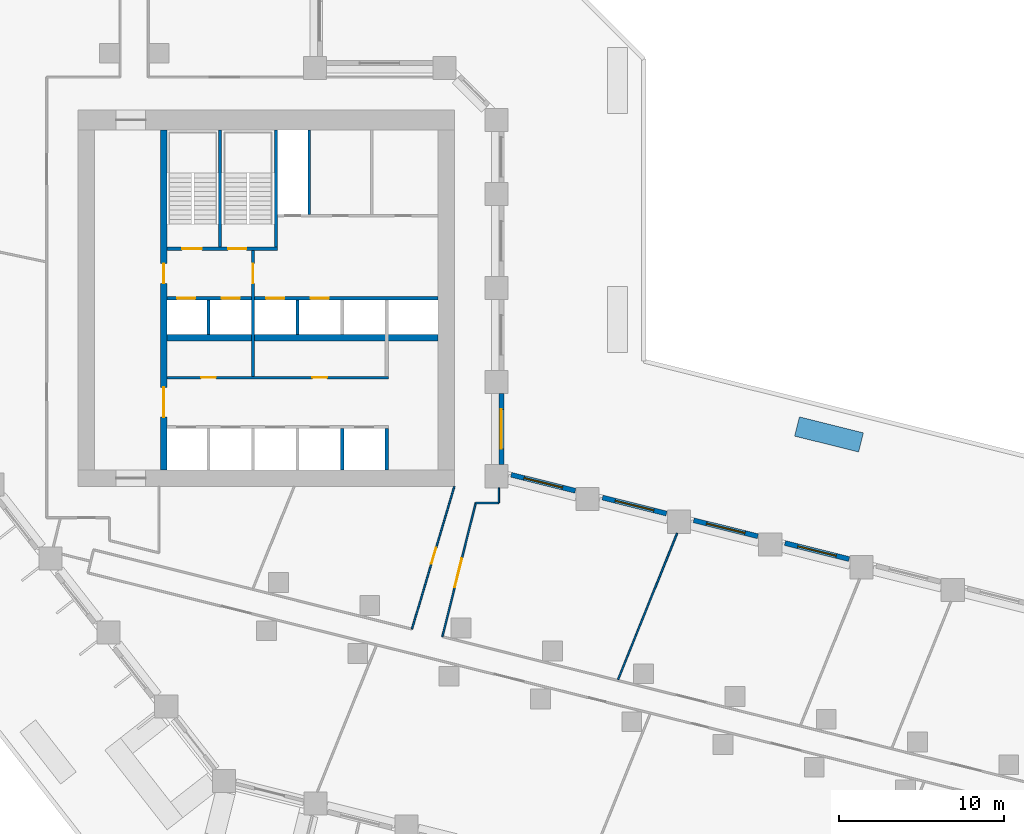
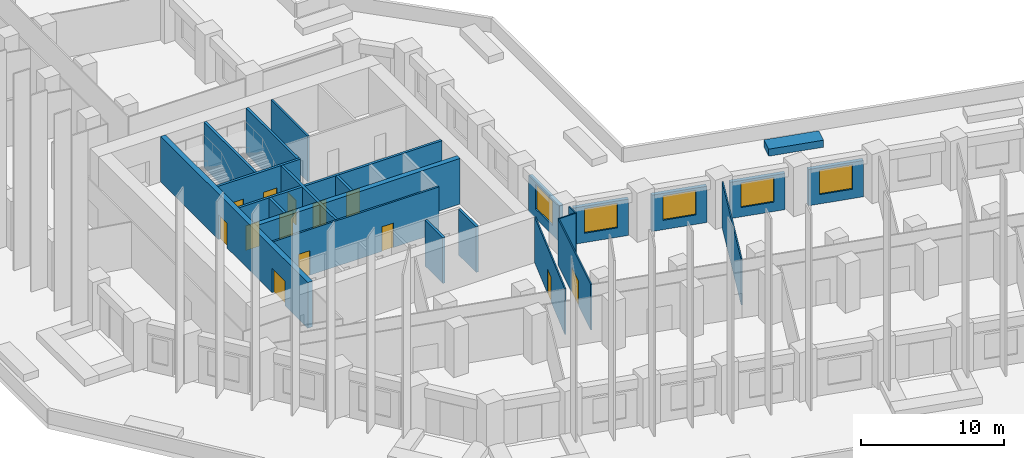
# One storey, part 5 of 13: 24 walls, 13 doors, 5 windows, 18 openings.
"""IFC4 building model written with IfcOpenShell, lengths in metres."""

from ifc_helpers import new_model, si_unit, direction, frame, frame_2d, origin, place, context, subcontext, project, spatial, rectangle, extrude, material, layer, layer_set, type_object, element, fill, save


model = new_model("IFC4")

# Units and contexts
model_context = context("Model", 3, precision=1e-05, world=origin(), true_north=direction((0.0, 1.0)))
body_context = subcontext(model_context, "Body", "Model", "MODEL_VIEW")
ifc_project = project(units=[si_unit("LENGTHUNIT", "METRE"), si_unit("AREAUNIT", "SQUARE_METRE"), si_unit("VOLUMEUNIT", "CUBIC_METRE"), si_unit("PLANEANGLEUNIT", "RADIAN"), si_unit("MASSUNIT", "GRAM", prefix="KILO")], contexts=[model_context])

# Site, building, storey
site_placement = place(None, origin())
site = spatial("IfcSite", under=ifc_project, at=site_placement, CompositionType="ELEMENT")
building_placement = place(site_placement, origin())
building = spatial("IfcBuilding", under=site, at=building_placement, Name="Meshkara Civic Tower", CompositionType="ELEMENT")
storey_placement = place(building_placement, frame((0.0, 0.0, 33.0)))
storey = spatial("IfcBuildingStorey", under=building, at=storey_placement, Name="L06", CompositionType="ELEMENT", Elevation=33.0)

# Wall, openings, doors
ifc_material_1 = material(Name="Blockwork", Category="masonry")
ifc_layer_1 = layer(ifc_material_1, 0.14990234375)
ifc_layer_set_1 = layer_set([ifc_layer_1], Name="Core partition 150")
wall_type_1 = type_object("IfcWallType", Name="Core partition 150", PredefinedType="PARTITIONING", material=ifc_layer_set_1)
wall_1_placement = place(storey_placement, frame((13.39990234375, 20.699951171875, 0.0), z_axis=(0.0, 0.0, 1.0), x_axis=(1.0, 0.0, 0.0)))
wall_1 = element("IfcWall", 1, at=wall_1_placement, inside=storey, type_object=wall_type_1, Name="L06-C006", PredefinedType="PARTITIONING", context=body_context, shape_type="SweptSolid", body=[
    extrude(rectangle(XDim=13.400146484375, YDim=0.14990234375, at=frame_2d((6.7001953125, 0.0))), origin(), (0.0, 0.0, 1.0), 3.89990234375),
])
opening_1_placement = place(wall_1_placement, frame((2.050048828125, 0.0, 0.0)))
opening_1 = element("IfcOpeningElement", 2, at=opening_1_placement, cuts=wall_1, Name="Opening L06-K010", PredefinedType="OPENING", context=body_context, shape_type="SweptSolid", body=[
    extrude(rectangle(XDim=0.89990234375, YDim=2.10009765625, at=frame_2d((0.449951171875, 1.050048828125))), frame((0.0, 0.0849609375, 0.0), z_axis=(0.0, -1.0, 0.0), x_axis=(1.0, 0.0, 0.0)), (0.0, 0.0, 1.0), 0.169921875),
])
opening_2_placement = place(wall_1_placement, frame((8.800048828125, 0.0, 0.0)))
opening_2 = element("IfcOpeningElement", 3, at=opening_2_placement, cuts=wall_1, Name="Opening L06-K011", PredefinedType="OPENING", context=body_context, shape_type="SweptSolid", body=[
    extrude(rectangle(XDim=0.89990234375, YDim=2.10009765625, at=frame_2d((0.449951171875, 1.050048828125))), frame((0.0, 0.0849609375, 0.0), z_axis=(0.0, -1.0, 0.0), x_axis=(1.0, 0.0, 0.0)), (0.0, 0.0, 1.0), 0.169921875),
])
ifc_material_2 = material(Name="Timber door leaf in steel frame", Category="steel")
door_type_1 = type_object("IfcDoorType", Name="Core room door 900", OperationType="SINGLE_SWING_LEFT", PredefinedType="DOOR", material=ifc_material_2)
door_1_placement = place(opening_1_placement, origin())
door_1 = element("IfcDoor", 4, at=door_1_placement, inside=storey, type_object=door_type_1, Name="L06-K010", OperationType="SINGLE_SWING_RIGHT", OverallHeight=2.10009765625, OverallWidth=0.89990234375, PredefinedType="DOOR", context=body_context, shape_type="SweptSolid", body=[
    extrude(rectangle(XDim=0.89990234375, YDim=2.10009765625, at=frame_2d((0.449951171875, 1.050048828125))), frame((0.0, 0.02490234375, 0.0), z_axis=(0.0, -1.0, 0.0), x_axis=(1.0, 0.0, 0.0)), (0.0, 0.0, 1.0), 0.050048828125),
])
fill(opening_1, door_1)
door_2_placement = place(opening_2_placement, origin())
door_2 = element("IfcDoor", 5, at=door_2_placement, inside=storey, type_object=door_type_1, Name="L06-K011", OperationType="SINGLE_SWING_RIGHT", OverallHeight=2.10009765625, OverallWidth=0.89990234375, PredefinedType="DOOR", context=body_context, shape_type="SweptSolid", body=[
    extrude(rectangle(XDim=0.89990234375, YDim=2.10009765625, at=frame_2d((0.449951171875, 1.050048828125))), frame((0.0, 0.02490234375, 0.0), z_axis=(0.0, -1.0, 0.0), x_axis=(1.0, 0.0, 0.0)), (0.0, 0.0, 1.0), 0.050048828125),
])
fill(opening_2, door_2)

# Walls
wall_2_placement = place(storey_placement, frame((22.0, 30.574951171875, 0.0), z_axis=(0.0, 0.0, 1.0), x_axis=(0.0, 1.0, 0.0)))
element("IfcWall", 6, at=wall_2_placement, inside=storey, type_object=wall_type_1, Name="L06-C020", PredefinedType="PARTITIONING", context=body_context, shape_type="SweptSolid", body=[
    extrude(rectangle(XDim=5.125, YDim=0.14990234375, at=frame_2d((2.5625, 0.0))), origin(), (0.0, 0.0, 1.0), 3.89990234375),
])
ifc_material_3 = material(Name="Concrete C80", Category="concrete")
ifc_layer_2 = layer(ifc_material_3, 0.39990234375)
ifc_layer_set_2 = layer_set([ifc_layer_2], Name="Core shear wall 400 C80")
wall_type_2 = type_object("IfcWallType", Name="Core shear wall 400 C80", PredefinedType="SHEAR", material=ifc_layer_set_2)
wall_3_placement = place(storey_placement, frame((13.39990234375, 23.10009765625, 0.0), z_axis=(0.0, 0.0, 1.0), x_axis=(1.0, 0.0, 0.0)))
element("IfcWall", 7, at=wall_3_placement, inside=storey, type_object=wall_type_2, Name="L06-C007", PredefinedType="SHEAR", context=body_context, shape_type="SweptSolid", body=[
    extrude(rectangle(XDim=16.400146484375, YDim=0.39990234375, at=frame_2d((8.2001953125, 0.0))), origin(), (0.0, 0.0, 1.0), 3.89990234375),
])

# Wall, openings, doors
wall_4_placement = place(storey_placement, frame((13.199951171875, 15.10009765625, 0.0), z_axis=(0.0, 0.0, 1.0), x_axis=(0.0, 1.0, 0.0)))
wall_4 = element("IfcWall", 8, at=wall_4_placement, inside=storey, type_object=wall_type_2, Name="L06-C011", PredefinedType="SHEAR", context=body_context, shape_type="SweptSolid", body=[
    extrude(rectangle(XDim=20.599853515625, YDim=0.39990234375, at=frame_2d((10.2998046875, 0.0))), origin(), (0.0, 0.0, 1.0), 3.89990234375),
])
opening_3_placement = place(wall_4_placement, frame((3.199951171875, 0.0, 0.0)))
opening_3 = element("IfcOpeningElement", 9, at=opening_3_placement, cuts=wall_4, Name="Opening L06-K017", PredefinedType="OPENING", context=body_context, shape_type="SweptSolid", body=[
    extrude(rectangle(XDim=1.800048828125, YDim=2.10009765625, at=frame_2d((0.89990234375, 1.050048828125))), frame((0.0, 0.2099609375, 0.0), z_axis=(0.0, -1.0, 0.0), x_axis=(1.0, 0.0, 0.0)), (0.0, 0.0, 1.0), 0.419921875),
])
opening_4_placement = place(wall_4_placement, frame((11.300048828125, 0.0, 0.0)))
opening_4 = element("IfcOpeningElement", 10, at=opening_4_placement, cuts=wall_4, Name="Opening L06-K018", PredefinedType="OPENING", context=body_context, shape_type="SweptSolid", body=[
    extrude(rectangle(XDim=1.199951171875, YDim=2.10009765625, at=frame_2d((0.60009765625, 1.050048828125))), frame((0.0, 0.2099609375, 0.0), z_axis=(0.0, -1.0, 0.0), x_axis=(1.0, 0.0, 0.0)), (0.0, 0.0, 1.0), 0.419921875),
])
ifc_material_4 = material(Name="Fire-rated door leaf in steel frame", Category="steel")
door_type_2 = type_object("IfcDoorType", Name="Core double door 1800 EI 60", OperationType="DOUBLE_DOOR_SINGLE_SWING", PredefinedType="DOOR", material=ifc_material_4)
door_3_placement = place(opening_3_placement, origin())
door_3 = element("IfcDoor", 11, at=door_3_placement, inside=storey, type_object=door_type_2, Name="L06-K017", OperationType="DOUBLE_DOOR_SINGLE_SWING", OverallHeight=2.10009765625, OverallWidth=1.800048828125, PredefinedType="DOOR", context=body_context, shape_type="SweptSolid", body=[
    extrude(rectangle(XDim=1.800048828125, YDim=2.10009765625, at=frame_2d((0.89990234375, 1.050048828125))), frame((0.0, 0.02490234375, 0.0), z_axis=(0.0, -1.0, 0.0), x_axis=(1.0, 0.0, 0.0)), (0.0, 0.0, 1.0), 0.050048828125),
])
fill(opening_3, door_3)
ifc_material_5 = material(Name="Fire-rated door leaf in steel frame", Category="steel")
door_type_3 = type_object("IfcDoorType", Name="Fire-fighting lobby door 1200 EI 120", OperationType="SINGLE_SWING_LEFT", PredefinedType="DOOR", material=ifc_material_5)
door_4_placement = place(opening_4_placement, origin())
door_4 = element("IfcDoor", 12, at=door_4_placement, inside=storey, type_object=door_type_3, Name="L06-K018", OperationType="SINGLE_SWING_LEFT", OverallHeight=2.10009765625, OverallWidth=1.199951171875, PredefinedType="DOOR", context=body_context, shape_type="SweptSolid", body=[
    extrude(rectangle(XDim=1.199951171875, YDim=2.10009765625, at=frame_2d((0.60009765625, 1.050048828125))), frame((0.0, 0.02490234375, 0.0), z_axis=(0.0, -1.0, 0.0), x_axis=(1.0, 0.0, 0.0)), (0.0, 0.0, 1.0), 0.050048828125),
])
fill(opening_4, door_4)

# Wall, opening, door
ifc_material_6 = material(Name="Corridor wall 100")
ifc_layer_3 = layer(ifc_material_6, 0.10009765625)
ifc_layer_set_3 = layer_set([ifc_layer_3], Name="Corridor wall 100")
wall_type_3 = type_object("IfcWallType", Name="Corridor wall 100", PredefinedType="PARTITIONING", material=ifc_layer_set_3)
wall_5_placement = place(storey_placement, frame((30.075927734375, 4.9951171875, 0.0), z_axis=(0.0, 0.0, 1.0), x_axis=(0.241944155572, 0.97029017597, 0.0)))
wall_5 = element("IfcWall", 13, at=wall_5_placement, inside=storey, type_object=wall_type_3, Name="L06-W021", PredefinedType="PARTITIONING", context=body_context, shape_type="SweptSolid", body=[
    extrude(rectangle(XDim=8.353271484375, YDim=0.10009765625, at=frame_2d((4.1767578125, 0.0))), origin(), (0.0, 0.0, 1.0), 3.89990234375),
])
opening_5_placement = place(wall_5_placement, frame((3.080078125, 0.0, 0.0)))
opening_5 = element("IfcOpeningElement", 14, at=opening_5_placement, cuts=wall_5, Name="Opening L06-D015", PredefinedType="OPENING", context=body_context, shape_type="SweptSolid", body=[
    extrude(rectangle(XDim=1.800048828125, YDim=2.10009765625, at=frame_2d((0.89990234375, 1.050048828125))), frame((0.0, 0.06005859375, 0.0), z_axis=(0.0, -1.0, 0.0), x_axis=(1.0, 0.0, 0.0)), (0.0, 0.0, 1.0), 0.1201171875),
])
ifc_material_7 = material(Name="Door pair 1800 x 2100")
door_type_4 = type_object("IfcDoorType", Name="Door pair 1800 x 2100", OperationType="SINGLE_SWING_LEFT", PredefinedType="DOOR", material=ifc_material_7)
door_5_placement = place(opening_5_placement, origin())
door_5 = element("IfcDoor", 15, at=door_5_placement, inside=storey, type_object=door_type_4, Name="L06-D015", OperationType="DOUBLE_DOOR_SINGLE_SWING", OverallHeight=2.10009765625, OverallWidth=1.800048828125, PredefinedType="DOOR", context=body_context, shape_type="SweptSolid", body=[
    extrude(rectangle(XDim=1.800048828125, YDim=2.10009765625, at=frame_2d((0.89990234375, 1.050048828125))), frame((0.0, 0.02490234375, 0.0), z_axis=(0.0, -1.0, 0.0), x_axis=(1.0, 0.0, 0.0)), (0.0, 0.0, 1.0), 0.050048828125),
])
fill(opening_5, door_5)

wall_6_placement = place(storey_placement, frame((30.800048828125, 14.10009765625, 0.0), z_axis=(0.0, 0.0, 1.0), x_axis=(-0.284664373847, -0.95862724469, 0.0)))
wall_6 = element("IfcWall", 16, at=wall_6_placement, inside=storey, type_object=wall_type_3, Name="L06-W022", PredefinedType="PARTITIONING", context=body_context, shape_type="SweptSolid", body=[
    extrude(rectangle(XDim=9.01806640625, YDim=0.10009765625, at=frame_2d((4.509033203125, 0.0))), origin(), (0.0, 0.0, 1.0), 3.89990234375),
])
opening_6_placement = place(wall_6_placement, frame((3.8798828125, 0.0, 0.0)))
opening_6 = element("IfcOpeningElement", 17, at=opening_6_placement, cuts=wall_6, Name="Opening L06-D014", PredefinedType="OPENING", context=body_context, shape_type="SweptSolid", body=[
    extrude(rectangle(XDim=1.0, YDim=2.10009765625, at=frame_2d((0.5, 1.050048828125))), frame((0.0, 0.06005859375, 0.0), z_axis=(0.0, -1.0, 0.0), x_axis=(1.0, 0.0, 0.0)), (0.0, 0.0, 1.0), 0.1201171875),
])
ifc_material_8 = material(Name="Door 1000 x 2100")
door_type_5 = type_object("IfcDoorType", Name="Door 1000 x 2100", OperationType="SINGLE_SWING_LEFT", PredefinedType="DOOR", material=ifc_material_8)
door_6_placement = place(opening_6_placement, origin())
door_6 = element("IfcDoor", 18, at=door_6_placement, inside=storey, type_object=door_type_5, Name="L06-D014", OperationType="SINGLE_SWING_RIGHT", OverallHeight=2.10009765625, OverallWidth=1.0, PredefinedType="DOOR", context=body_context, shape_type="SweptSolid", body=[
    extrude(rectangle(XDim=1.0, YDim=2.10009765625, at=frame_2d((0.5, 1.050048828125))), frame((0.0, 0.02490234375, 0.0), z_axis=(0.0, -1.0, 0.0), x_axis=(1.0, 0.0, 0.0)), (0.0, 0.0, 1.0), 0.050048828125),
])
fill(opening_6, door_6)

# Walls
wall_7_placement = place(storey_placement, frame((32.096923828125, 13.10009765625, 0.0), z_axis=(0.0, 0.0, 1.0), x_axis=(1.0, 0.0, 0.0)))
element("IfcWall", 19, at=wall_7_placement, inside=storey, type_object=wall_type_3, Name="L06-W023", PredefinedType="PARTITIONING", context=body_context, shape_type="SweptSolid", body=[
    extrude(rectangle(XDim=1.403076171875, YDim=0.10009765625, at=frame_2d((0.70166015625, 0.0))), origin(), (0.0, 0.0, 1.0), 3.89990234375),
])
wall_8_placement = place(storey_placement, frame((33.5, 13.10009765625, 0.0), z_axis=(0.0, 0.0, 1.0), x_axis=(0.0, 1.0, 0.0)))
element("IfcWall", 20, at=wall_8_placement, inside=storey, type_object=wall_type_3, Name="L06-W024", PredefinedType="PARTITIONING", context=body_context, shape_type="SweptSolid", body=[
    extrude(rectangle(XDim=0.9189453125, YDim=0.10009765625, at=frame_2d((0.45947265625, 0.0))), origin(), (0.0, 0.0, 1.0), 3.89990234375),
])

# Wall, opening, window
ifc_material_9 = material(Name="Insulated infill panel with bronze anodised aluminium cladding", Category="aluminium")
ifc_layer_4 = layer(ifc_material_9, 0.300048828125)
ifc_layer_set_4 = layer_set([ifc_layer_4], Name="EXTERNAL INFILL WALL 300")
wall_type_4 = type_object("IfcWallType", Name="EXTERNAL INFILL WALL 300", PredefinedType="SOLIDWALL", material=ifc_layer_set_4)
wall_9_placement = place(storey_placement, frame((54.721923828125, 9.699951171875, 0.0), z_axis=(0.0, 0.0, 1.0), x_axis=(-0.970318045095, 0.24183236211, 0.0)))
wall_9 = element("IfcWall", 21, at=wall_9_placement, inside=storey, type_object=wall_type_4, Name="External wall", PredefinedType="SOLIDWALL", context=body_context, shape_type="SweptSolid", body=[
    extrude(rectangle(XDim=4.0029296875, YDim=0.300048828125, at=frame_2d((2.00146484375, 0.0))), origin(), (0.0, 0.0, 1.0), 3.10009765625),
])
opening_7_placement = place(wall_9_placement, frame((0.802001953125, 0.0, 0.800048828125)))
opening_7 = element("IfcOpeningElement", 22, at=opening_7_placement, cuts=wall_9, Name="Opening W7", PredefinedType="OPENING", context=body_context, shape_type="SweptSolid", body=[
    extrude(rectangle(XDim=2.39990234375, YDim=2.10009765625, at=frame_2d((1.199951171875, 1.050048828125))), frame((0.0, 0.159912109375, 0.0), z_axis=(0.0, -1.0, 0.0), x_axis=(1.0, 0.0, 0.0)), (0.0, 0.0, 1.0), 0.320068359375),
])
ifc_material_10 = material(Name="Tinted double glazing", Category="glass")
window_type = type_object("IfcWindowType", Name="WINDOW 2400x2100", PartitioningType="DOUBLE_PANEL_VERTICAL", PredefinedType="WINDOW", material=ifc_material_10)
window_1_placement = place(opening_7_placement, origin())
window_1 = element("IfcWindow", 23, at=window_1_placement, inside=storey, type_object=window_type, Name="Window", OverallHeight=2.10009765625, OverallWidth=2.39990234375, PartitioningType="DOUBLE_PANEL_VERTICAL", PredefinedType="WINDOW", context=body_context, shape_type="SweptSolid", body=[
    extrude(rectangle(XDim=2.39990234375, YDim=2.10009765625, at=frame_2d((1.199951171875, 1.050048828125))), frame((0.0, 0.030029296875, 0.0), z_axis=(0.0, -1.0, 0.0), x_axis=(1.0, 0.0, 0.0)), (0.0, 0.0, 1.0), 0.06005859375),
])
fill(opening_7, window_1)

wall_10_placement = place(storey_placement, frame((49.19091796875, 11.0791015625, 0.0), z_axis=(0.0, 0.0, 1.0), x_axis=(-0.970318045095, 0.24183236211, 0.0)))
wall_10 = element("IfcWall", 24, at=wall_10_placement, inside=storey, type_object=wall_type_4, Name="External wall", PredefinedType="SOLIDWALL", context=body_context, shape_type="SweptSolid", body=[
    extrude(rectangle(XDim=4.0029296875, YDim=0.300048828125, at=frame_2d((2.00146484375, 0.0))), origin(), (0.0, 0.0, 1.0), 3.10009765625),
])
opening_8_placement = place(wall_10_placement, frame((0.802001953125, 0.0, 0.800048828125)))
opening_8 = element("IfcOpeningElement", 25, at=opening_8_placement, cuts=wall_10, Name="Opening W7", PredefinedType="OPENING", context=body_context, shape_type="SweptSolid", body=[
    extrude(rectangle(XDim=2.39990234375, YDim=2.10009765625, at=frame_2d((1.199951171875, 1.050048828125))), frame((0.0, 0.159912109375, 0.0), z_axis=(0.0, -1.0, 0.0), x_axis=(1.0, 0.0, 0.0)), (0.0, 0.0, 1.0), 0.320068359375),
])
window_2_placement = place(opening_8_placement, origin())
window_2 = element("IfcWindow", 26, at=window_2_placement, inside=storey, type_object=window_type, Name="Window", OverallHeight=2.10009765625, OverallWidth=2.39990234375, PartitioningType="DOUBLE_PANEL_VERTICAL", PredefinedType="WINDOW", context=body_context, shape_type="SweptSolid", body=[
    extrude(rectangle(XDim=2.39990234375, YDim=2.10009765625, at=frame_2d((1.199951171875, 1.050048828125))), frame((0.0, 0.030029296875, 0.0), z_axis=(0.0, -1.0, 0.0), x_axis=(1.0, 0.0, 0.0)), (0.0, 0.0, 1.0), 0.06005859375),
])
fill(opening_8, window_2)

wall_11_placement = place(storey_placement, frame((43.659912109375, 12.4580078125, 0.0), z_axis=(0.0, 0.0, 1.0), x_axis=(-0.970300202301, 0.241903942538, 0.0)))
wall_11 = element("IfcWall", 27, at=wall_11_placement, inside=storey, type_object=wall_type_4, Name="External wall", PredefinedType="SOLIDWALL", context=body_context, shape_type="SweptSolid", body=[
    extrude(rectangle(XDim=4.001708984375, YDim=0.300048828125, at=frame_2d((2.0009765625, 0.0))), origin(), (0.0, 0.0, 1.0), 3.10009765625),
])
opening_9_placement = place(wall_11_placement, frame((0.801025390625, 0.0, 0.800048828125)))
opening_9 = element("IfcOpeningElement", 28, at=opening_9_placement, cuts=wall_11, Name="Opening W7", PredefinedType="OPENING", context=body_context, shape_type="SweptSolid", body=[
    extrude(rectangle(XDim=2.39990234375, YDim=2.10009765625, at=frame_2d((1.199951171875, 1.050048828125))), frame((0.0, 0.159912109375, 0.0), z_axis=(0.0, -1.0, 0.0), x_axis=(1.0, 0.0, 0.0)), (0.0, 0.0, 1.0), 0.320068359375),
])
window_3_placement = place(opening_9_placement, origin())
window_3 = element("IfcWindow", 29, at=window_3_placement, inside=storey, type_object=window_type, Name="Window", OverallHeight=2.10009765625, OverallWidth=2.39990234375, PartitioningType="DOUBLE_PANEL_VERTICAL", PredefinedType="WINDOW", context=body_context, shape_type="SweptSolid", body=[
    extrude(rectangle(XDim=2.39990234375, YDim=2.10009765625, at=frame_2d((1.199951171875, 1.050048828125))), frame((0.0, 0.030029296875, 0.0), z_axis=(0.0, -1.0, 0.0), x_axis=(1.0, 0.0, 0.0)), (0.0, 0.0, 1.0), 0.06005859375),
])
fill(opening_9, window_3)

wall_12_placement = place(storey_placement, frame((38.1298828125, 13.8369140625, 0.0), z_axis=(0.0, 0.0, 1.0), x_axis=(-0.970314477803, 0.241846674911, 0.0)))
wall_12 = element("IfcWall", 30, at=wall_12_placement, inside=storey, type_object=wall_type_4, Name="External wall", PredefinedType="SOLIDWALL", context=body_context, shape_type="SweptSolid", body=[
    extrude(rectangle(XDim=4.002685546875, YDim=0.300048828125, at=frame_2d((2.00146484375, 0.0))), origin(), (0.0, 0.0, 1.0), 3.10009765625),
])
opening_10_placement = place(wall_12_placement, frame((0.802001953125, 0.0, 0.800048828125)))
opening_10 = element("IfcOpeningElement", 31, at=opening_10_placement, cuts=wall_12, Name="Opening W7", PredefinedType="OPENING", context=body_context, shape_type="SweptSolid", body=[
    extrude(rectangle(XDim=2.39990234375, YDim=2.10009765625, at=frame_2d((1.199951171875, 1.050048828125))), frame((0.0, 0.159912109375, 0.0), z_axis=(0.0, -1.0, 0.0), x_axis=(1.0, 0.0, 0.0)), (0.0, 0.0, 1.0), 0.320068359375),
])
window_4_placement = place(opening_10_placement, origin())
window_4 = element("IfcWindow", 32, at=window_4_placement, inside=storey, type_object=window_type, Name="Window", OverallHeight=2.10009765625, OverallWidth=2.39990234375, PartitioningType="DOUBLE_PANEL_VERTICAL", PredefinedType="WINDOW", context=body_context, shape_type="SweptSolid", body=[
    extrude(rectangle(XDim=2.39990234375, YDim=2.10009765625, at=frame_2d((1.199951171875, 1.050048828125))), frame((0.0, 0.030029296875, 0.0), z_axis=(0.0, -1.0, 0.0), x_axis=(1.0, 0.0, 0.0)), (0.0, 0.0, 1.0), 0.06005859375),
])
fill(opening_10, window_4)

wall_13_placement = place(storey_placement, frame((33.64990234375, 15.4189453125, 0.0), z_axis=(0.0, 0.0, 1.0), x_axis=(0.0, 1.0, 0.0)))
wall_13 = element("IfcWall", 33, at=wall_13_placement, inside=storey, type_object=wall_type_4, Name="External wall", PredefinedType="SOLIDWALL", context=body_context, shape_type="SweptSolid", body=[
    extrude(rectangle(XDim=4.300048828125, YDim=0.300048828125, at=frame_2d((2.14990234375, 0.0))), origin(), (0.0, 0.0, 1.0), 3.10009765625),
])
opening_11_placement = place(wall_13_placement, frame((0.949951171875, 0.0, 0.800048828125)))
opening_11 = element("IfcOpeningElement", 34, at=opening_11_placement, cuts=wall_13, Name="Opening W7", PredefinedType="OPENING", context=body_context, shape_type="SweptSolid", body=[
    extrude(rectangle(XDim=2.39990234375, YDim=2.10009765625, at=frame_2d((1.199951171875, 1.050048828125))), frame((0.0, 0.159912109375, 0.0), z_axis=(0.0, -1.0, 0.0), x_axis=(1.0, 0.0, 0.0)), (0.0, 0.0, 1.0), 0.320068359375),
])
window_5_placement = place(opening_11_placement, origin())
window_5 = element("IfcWindow", 35, at=window_5_placement, inside=storey, type_object=window_type, Name="Window", OverallHeight=2.10009765625, OverallWidth=2.39990234375, PartitioningType="DOUBLE_PANEL_VERTICAL", PredefinedType="WINDOW", context=body_context, shape_type="SweptSolid", body=[
    extrude(rectangle(XDim=2.39990234375, YDim=2.10009765625, at=frame_2d((1.199951171875, 1.050048828125))), frame((0.0, 0.030029296875, 0.0), z_axis=(0.0, -1.0, 0.0), x_axis=(1.0, 0.0, 0.0)), (0.0, 0.0, 1.0), 0.06005859375),
])
fill(opening_11, window_5)

# Walls
ifc_material_11 = material(Name="Concrete C40", Category="concrete")
ifc_layer_5 = layer(ifc_material_11, 1.199951171875)
ifc_layer_set_5 = layer_set([ifc_layer_5], Name="PLANTING BED")
wall_type_5 = type_object("IfcWallType", Name="PLANTING BED", PredefinedType="SOLIDWALL", material=ifc_layer_set_5)
wall_14_placement = place(storey_placement, frame((51.56396484375, 17.73193359375, 0.0), z_axis=(0.0, 0.0, 1.0), x_axis=(0.970332498704, -0.241774361664, 0.0)))
element("IfcWall", 36, at=wall_14_placement, inside=storey, type_object=wall_type_5, Name="Planting bed", PredefinedType="SOLIDWALL", context=body_context, shape_type="SweptSolid", body=[
    extrude(rectangle(XDim=3.999755859375, YDim=1.199951171875, at=frame_2d((2.0, 0.0))), origin(), (0.0, 0.0, 1.0), 0.60009765625),
])
ifc_material_12 = material(Name="Partition 100")
ifc_layer_6 = layer(ifc_material_12, 0.10009765625)
ifc_layer_set_6 = layer_set([ifc_layer_6], Name="Partition 100")
wall_type_6 = type_object("IfcWallType", Name="Partition 100", PredefinedType="PARTITIONING", material=ifc_layer_set_6)
wall_15_placement = place(storey_placement, frame((40.721923828125, 2.39892578125, 0.0), z_axis=(0.0, 0.0, 1.0), x_axis=(0.374480366096, 0.92723484372, 0.0)))
element("IfcWall", 37, at=wall_15_placement, inside=storey, type_object=wall_type_6, Name="L06-W049", PredefinedType="PARTITIONING", context=body_context, shape_type="SweptSolid", body=[
    extrude(rectangle(XDim=9.5576171875, YDim=0.10009765625, at=frame_2d((4.77880859375, 0.0))), origin(), (0.0, 0.0, 1.0), 3.89990234375),
])

# Wall, openings, doors
ifc_material_13 = material(Name="Concrete C40/50", Category="concrete")
ifc_layer_7 = layer(ifc_material_13, 0.199951171875)
ifc_layer_set_7 = layer_set([ifc_layer_7], Name="Shaft wall 200 C40/50")
wall_type_7 = type_object("IfcWallType", Name="Shaft wall 200 C40/50", PredefinedType="SOLIDWALL", material=ifc_layer_set_7)
wall_16_placement = place(storey_placement, frame((13.39990234375, 25.5, 0.0), z_axis=(0.0, 0.0, 1.0), x_axis=(1.0, 0.0, 0.0)))
wall_16 = element("IfcWall", 38, at=wall_16_placement, inside=storey, type_object=wall_type_7, Name="L06-C008", PredefinedType="SOLIDWALL", context=body_context, shape_type="SweptSolid", body=[
    extrude(rectangle(XDim=16.400146484375, YDim=0.199951171875, at=frame_2d((8.2001953125, 0.0))), origin(), (0.0, 0.0, 1.0), 3.89990234375),
])
opening_12_placement = place(wall_16_placement, frame((0.60009765625, 0.0, 0.0)))
opening_12 = element("IfcOpeningElement", 39, at=opening_12_placement, cuts=wall_16, Name="Opening L06-K006", PredefinedType="OPENING", context=body_context, shape_type="SweptSolid", body=[
    extrude(rectangle(XDim=1.10009765625, YDim=2.10009765625, at=frame_2d((0.550048828125, 1.050048828125))), frame((0.0, 0.10986328125, 0.0), z_axis=(0.0, -1.0, 0.0), x_axis=(1.0, 0.0, 0.0)), (0.0, 0.0, 1.0), 0.219970703125),
])
opening_13_placement = place(wall_16_placement, frame((3.300048828125, 0.0, 0.0)))
opening_13 = element("IfcOpeningElement", 40, at=opening_13_placement, cuts=wall_16, Name="Opening L06-K007", PredefinedType="OPENING", context=body_context, shape_type="SweptSolid", body=[
    extrude(rectangle(XDim=1.10009765625, YDim=2.10009765625, at=frame_2d((0.550048828125, 1.050048828125))), frame((0.0, 0.10986328125, 0.0), z_axis=(0.0, -1.0, 0.0), x_axis=(1.0, 0.0, 0.0)), (0.0, 0.0, 1.0), 0.219970703125),
])
opening_14_placement = place(wall_16_placement, frame((6.0, 0.0, 0.0)))
opening_14 = element("IfcOpeningElement", 41, at=opening_14_placement, cuts=wall_16, Name="Opening L06-K008", PredefinedType="OPENING", context=body_context, shape_type="SweptSolid", body=[
    extrude(rectangle(XDim=1.10009765625, YDim=2.10009765625, at=frame_2d((0.550048828125, 1.050048828125))), frame((0.0, 0.10986328125, 0.0), z_axis=(0.0, -1.0, 0.0), x_axis=(1.0, 0.0, 0.0)), (0.0, 0.0, 1.0), 0.219970703125),
])
opening_15_placement = place(wall_16_placement, frame((8.699951171875, 0.0, 0.0)))
opening_15 = element("IfcOpeningElement", 42, at=opening_15_placement, cuts=wall_16, Name="Opening L06-K009", PredefinedType="OPENING", context=body_context, shape_type="SweptSolid", body=[
    extrude(rectangle(XDim=1.10009765625, YDim=2.10009765625, at=frame_2d((0.550048828125, 1.050048828125))), frame((0.0, 0.10986328125, 0.0), z_axis=(0.0, -1.0, 0.0), x_axis=(1.0, 0.0, 0.0)), (0.0, 0.0, 1.0), 0.219970703125),
])
ifc_material_14 = material(Name="Stainless steel landing door", Category="steel")
door_type_6 = type_object("IfcDoorType", Name="Lift landing door 1100", OperationType="SLIDING_TO_LEFT", PredefinedType="DOOR", material=ifc_material_14)
door_7_placement = place(opening_12_placement, origin())
door_7 = element("IfcDoor", 43, at=door_7_placement, inside=storey, type_object=door_type_6, Name="L06-K006", OperationType="SLIDING_TO_LEFT", OverallHeight=2.10009765625, OverallWidth=1.10009765625, PredefinedType="DOOR", context=body_context, shape_type="SweptSolid", body=[
    extrude(rectangle(XDim=1.10009765625, YDim=2.10009765625, at=frame_2d((0.550048828125, 1.050048828125))), frame((0.0, 0.02490234375, 0.0), z_axis=(0.0, -1.0, 0.0), x_axis=(1.0, 0.0, 0.0)), (0.0, 0.0, 1.0), 0.050048828125),
])
fill(opening_12, door_7)
door_8_placement = place(opening_13_placement, origin())
door_8 = element("IfcDoor", 44, at=door_8_placement, inside=storey, type_object=door_type_6, Name="L06-K007", OperationType="SLIDING_TO_LEFT", OverallHeight=2.10009765625, OverallWidth=1.10009765625, PredefinedType="DOOR", context=body_context, shape_type="SweptSolid", body=[
    extrude(rectangle(XDim=1.10009765625, YDim=2.10009765625, at=frame_2d((0.550048828125, 1.050048828125))), frame((0.0, 0.02490234375, 0.0), z_axis=(0.0, -1.0, 0.0), x_axis=(1.0, 0.0, 0.0)), (0.0, 0.0, 1.0), 0.050048828125),
])
fill(opening_13, door_8)
door_9_placement = place(opening_14_placement, origin())
door_9 = element("IfcDoor", 45, at=door_9_placement, inside=storey, type_object=door_type_6, Name="L06-K008", OperationType="SLIDING_TO_LEFT", OverallHeight=2.10009765625, OverallWidth=1.10009765625, PredefinedType="DOOR", context=body_context, shape_type="SweptSolid", body=[
    extrude(rectangle(XDim=1.10009765625, YDim=2.10009765625, at=frame_2d((0.550048828125, 1.050048828125))), frame((0.0, 0.02490234375, 0.0), z_axis=(0.0, -1.0, 0.0), x_axis=(1.0, 0.0, 0.0)), (0.0, 0.0, 1.0), 0.050048828125),
])
fill(opening_14, door_9)
door_10_placement = place(opening_15_placement, origin())
door_10 = element("IfcDoor", 46, at=door_10_placement, inside=storey, type_object=door_type_6, Name="L06-K009", OperationType="SLIDING_TO_LEFT", OverallHeight=2.10009765625, OverallWidth=1.10009765625, PredefinedType="DOOR", context=body_context, shape_type="SweptSolid", body=[
    extrude(rectangle(XDim=1.10009765625, YDim=2.10009765625, at=frame_2d((0.550048828125, 1.050048828125))), frame((0.0, 0.02490234375, 0.0), z_axis=(0.0, -1.0, 0.0), x_axis=(1.0, 0.0, 0.0)), (0.0, 0.0, 1.0), 0.050048828125),
])
fill(opening_15, door_10)

# Wall
wall_17_placement = place(storey_placement, frame((15.89990234375, 23.300048828125, 0.0), z_axis=(0.0, 0.0, 1.0), x_axis=(0.0, 1.0, 0.0)))
element("IfcWall", 47, at=wall_17_placement, inside=storey, type_object=wall_type_7, Name="L06-C013", PredefinedType="SOLIDWALL", context=body_context, shape_type="SweptSolid", body=[
    extrude(rectangle(XDim=2.099853515625, YDim=0.199951171875, at=frame_2d((1.0498046875, 0.0))), origin(), (0.0, 0.0, 1.0), 3.89990234375),
])

# Wall, opening, door
wall_18_placement = place(storey_placement, frame((18.60009765625, 20.77490234375, 0.0), z_axis=(0.0, 0.0, 1.0), x_axis=(0.0, 1.0, 0.0)))
wall_18 = element("IfcWall", 48, at=wall_18_placement, inside=storey, type_object=wall_type_7, Name="L06-C016", PredefinedType="SOLIDWALL", context=body_context, shape_type="SweptSolid", body=[
    extrude(rectangle(XDim=7.625, YDim=0.199951171875, at=frame_2d((3.8125, 0.0))), origin(), (0.0, 0.0, 1.0), 3.89990234375),
])
opening_16_placement = place(wall_18_placement, frame((5.625, 0.0, 0.0)))
opening_16 = element("IfcOpeningElement", 49, at=opening_16_placement, cuts=wall_18, Name="Opening L06-K019", PredefinedType="OPENING", context=body_context, shape_type="SweptSolid", body=[
    extrude(rectangle(XDim=1.199951171875, YDim=2.10009765625, at=frame_2d((0.60009765625, 1.050048828125))), frame((0.0, 0.10986328125, 0.0), z_axis=(0.0, -1.0, 0.0), x_axis=(1.0, 0.0, 0.0)), (0.0, 0.0, 1.0), 0.219970703125),
])
door_11_placement = place(opening_16_placement, origin())
door_11 = element("IfcDoor", 50, at=door_11_placement, inside=storey, type_object=door_type_3, Name="L06-K019", OperationType="SINGLE_SWING_RIGHT", OverallHeight=2.10009765625, OverallWidth=1.199951171875, PredefinedType="DOOR", context=body_context, shape_type="SweptSolid", body=[
    extrude(rectangle(XDim=1.199951171875, YDim=2.10009765625, at=frame_2d((0.60009765625, 1.050048828125))), frame((0.0, 0.02490234375, 0.0), z_axis=(0.0, -1.0, 0.0), x_axis=(1.0, 0.0, 0.0)), (0.0, 0.0, 1.0), 0.050048828125),
])
fill(opening_16, door_11)

# Walls
wall_19_placement = place(storey_placement, frame((21.300048828125, 23.300048828125, 0.0), z_axis=(0.0, 0.0, 1.0), x_axis=(0.0, 1.0, 0.0)))
element("IfcWall", 51, at=wall_19_placement, inside=storey, type_object=wall_type_7, Name="L06-C019", PredefinedType="SOLIDWALL", context=body_context, shape_type="SweptSolid", body=[
    extrude(rectangle(XDim=2.099853515625, YDim=0.199951171875, at=frame_2d((1.0498046875, 0.0))), origin(), (0.0, 0.0, 1.0), 3.89990234375),
])
for number, where, z_axis, x_axis, name in (
    (52, (24.0, 15.10009765625, 0.0), (0.0, 0.0, 1.0), (0.0, 1.0, 0.0), "L06-C021"),
    (53, (26.699951171875, 15.10009765625, 0.0), (0.0, 0.0, 1.0), (0.0, 1.0, 0.0), "L06-C024"),
):
    element("IfcWall", number, at=place(storey_placement, frame(where, z_axis=z_axis, x_axis=x_axis)), inside=storey, type_object=wall_type_7, Name=name, PredefinedType="SOLIDWALL", context=body_context, shape_type="SweptSolid", body=[
        extrude(rectangle(XDim=2.5, YDim=0.199951171875, at=frame_2d((1.25, 0.0))), origin(), (0.0, 0.0, 1.0), 3.89990234375),
    ])

# Wall, openings, doors
ifc_material_15 = material(Name="Concrete C40/50", Category="concrete")
ifc_layer_8 = layer(ifc_material_15, 0.199951171875)
ifc_layer_set_8 = layer_set([ifc_layer_8], Name="Stair enclosure wall 200 C40/50")
wall_type_8 = type_object("IfcWallType", Name="Stair enclosure wall 200 C40/50", PredefinedType="SOLIDWALL", material=ifc_layer_set_8)
wall_20_placement = place(storey_placement, frame((13.39990234375, 28.5, 0.0), z_axis=(0.0, 0.0, 1.0), x_axis=(1.0, 0.0, 0.0)))
wall_20 = element("IfcWall", 54, at=wall_20_placement, inside=storey, type_object=wall_type_8, Name="L06-C009", PredefinedType="SOLIDWALL", context=body_context, shape_type="SweptSolid", body=[
    extrude(rectangle(XDim=6.7001953125, YDim=0.199951171875, at=frame_2d((3.35009765625, 0.0))), origin(), (0.0, 0.0, 1.0), 3.89990234375),
])
opening_17_placement = place(wall_20_placement, frame((0.89990234375, 0.0, 0.0)))
opening_17 = element("IfcOpeningElement", 55, at=opening_17_placement, cuts=wall_20, Name="Opening L06-K015", PredefinedType="OPENING", context=body_context, shape_type="SweptSolid", body=[
    extrude(rectangle(XDim=1.199951171875, YDim=2.10009765625, at=frame_2d((0.60009765625, 1.050048828125))), frame((0.0, 0.10986328125, 0.0), z_axis=(0.0, -1.0, 0.0), x_axis=(1.0, 0.0, 0.0)), (0.0, 0.0, 1.0), 0.219970703125),
])
opening_18_placement = place(wall_20_placement, frame((3.699951171875, 0.0, 0.0)))
opening_18 = element("IfcOpeningElement", 56, at=opening_18_placement, cuts=wall_20, Name="Opening L06-K016", PredefinedType="OPENING", context=body_context, shape_type="SweptSolid", body=[
    extrude(rectangle(XDim=1.10009765625, YDim=2.10009765625, at=frame_2d((0.550048828125, 1.050048828125))), frame((0.0, 0.10986328125, 0.0), z_axis=(0.0, -1.0, 0.0), x_axis=(1.0, 0.0, 0.0)), (0.0, 0.0, 1.0), 0.219970703125),
])
ifc_material_16 = material(Name="Fire-rated door leaf in steel frame", Category="steel")
door_type_7 = type_object("IfcDoorType", Name="Stair door 1100 EI 120", OperationType="SINGLE_SWING_LEFT", PredefinedType="DOOR", material=ifc_material_16)
door_12_placement = place(opening_18_placement, origin())
door_12 = element("IfcDoor", 57, at=door_12_placement, inside=storey, type_object=door_type_7, Name="L06-K016", OperationType="SINGLE_SWING_LEFT", OverallHeight=2.10009765625, OverallWidth=1.10009765625, PredefinedType="DOOR", context=body_context, shape_type="SweptSolid", body=[
    extrude(rectangle(XDim=1.10009765625, YDim=2.10009765625, at=frame_2d((0.550048828125, 1.050048828125))), frame((0.0, 0.02490234375, 0.0), z_axis=(0.0, -1.0, 0.0), x_axis=(1.0, 0.0, 0.0)), (0.0, 0.0, 1.0), 0.050048828125),
])
fill(opening_18, door_12)
ifc_material_17 = material(Name="Fire-rated door leaf in steel frame", Category="steel")
door_type_8 = type_object("IfcDoorType", Name="Stair door 1200 EI 120", OperationType="SINGLE_SWING_LEFT", PredefinedType="DOOR", material=ifc_material_17)
door_13_placement = place(opening_17_placement, origin())
door_13 = element("IfcDoor", 58, at=door_13_placement, inside=storey, type_object=door_type_8, Name="L06-K015", OperationType="SINGLE_SWING_RIGHT", OverallHeight=2.10009765625, OverallWidth=1.199951171875, PredefinedType="DOOR", context=body_context, shape_type="SweptSolid", body=[
    extrude(rectangle(XDim=1.199951171875, YDim=2.10009765625, at=frame_2d((0.60009765625, 1.050048828125))), frame((0.0, 0.02490234375, 0.0), z_axis=(0.0, -1.0, 0.0), x_axis=(1.0, 0.0, 0.0)), (0.0, 0.0, 1.0), 0.050048828125),
])
fill(opening_17, door_13)

# Walls
for number, where, z_axis, x_axis, name in (
    (59, (16.60009765625, 28.60009765625, 0.0), (0.0, 0.0, 1.0), (0.0, 1.0, 0.0), "L06-C014"),
    (60, (20.0, 28.60009765625, 0.0), (0.0, 0.0, 1.0), (0.0, 1.0, 0.0), "L06-C017"),
):
    element("IfcWall", number, at=place(storey_placement, frame(where, z_axis=z_axis, x_axis=x_axis)), inside=storey, type_object=wall_type_8, Name=name, PredefinedType="SOLIDWALL", context=body_context, shape_type="SweptSolid", body=[
        extrude(rectangle(XDim=7.099853515625, YDim=0.199951171875, at=frame_2d((3.5498046875, 0.0))), origin(), (0.0, 0.0, 1.0), 3.89990234375),
    ])

save(model, "model.ifc")
